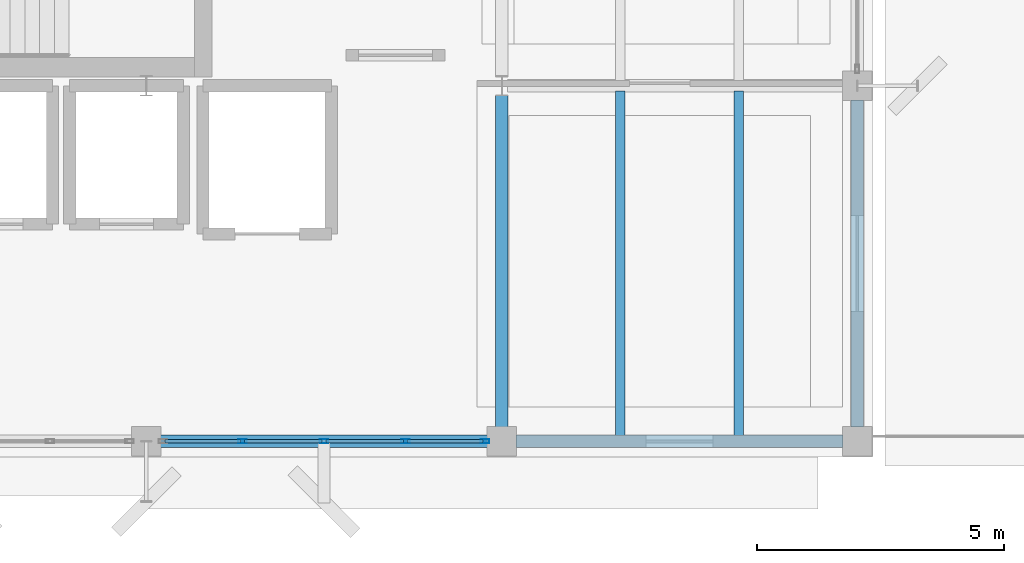
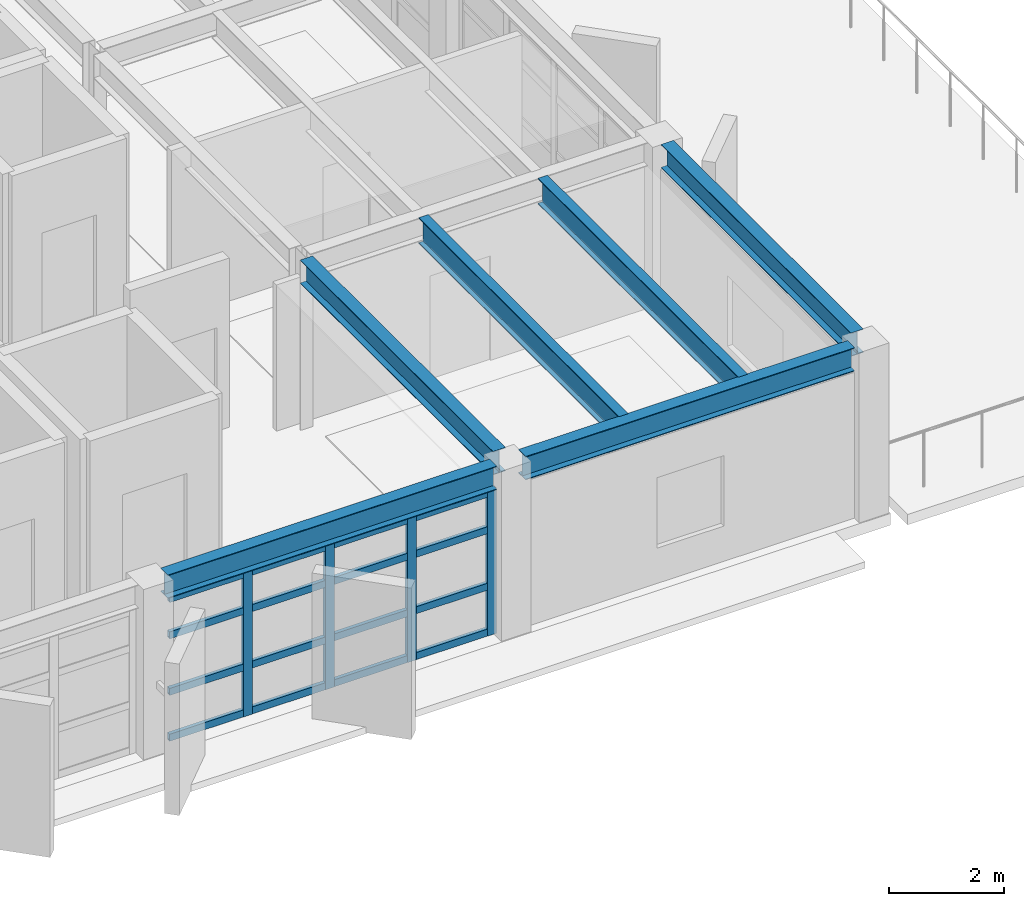
# One storey, part 5 of 19: 20 members, 6 beams, 1 element without a shape of its own.
"""IFC4 building model written with IfcOpenShell, lengths in metres."""

from ifc_helpers import new_model, si_unit, direction, frame, origin, origin_2d, place, context, subcontext, project, spatial, hollow_rectangle, i_section, extrude, material, layer, layer_set, material_profile, profile_set, type_object, element, aggregate, save


model = new_model("IFC4")

# Units and contexts
model_context = context("Model", 3, precision=1e-05, world=origin(), true_north=direction((0.0, 1.0)))
body_context = subcontext(model_context, "Body", "Model", "MODEL_VIEW")
ifc_project = project(units=[si_unit("LENGTHUNIT", "METRE"), si_unit("AREAUNIT", "SQUARE_METRE"), si_unit("VOLUMEUNIT", "CUBIC_METRE"), si_unit("PLANEANGLEUNIT", "RADIAN"), si_unit("MASSUNIT", "GRAM", prefix="KILO")], contexts=[model_context])

# Site, building, storey
site_placement = place(None, origin())
site = spatial("IfcSite", under=ifc_project, at=site_placement, CompositionType="ELEMENT")
building_placement = place(site_placement, origin())
building = spatial("IfcBuilding", under=site, at=building_placement, Name="Kandorven Conservatory and Botanical Research Centre", CompositionType="ELEMENT")
storey_placement = place(building_placement, frame((0.0, 0.0, 28.800048828125)))
storey = spatial("IfcBuildingStorey", under=building, at=storey_placement, Name="L07", CompositionType="ELEMENT", Elevation=28.800048828125)

# Beams
ifc_material_1 = material(Name="Steel S355 (IS 2062 E350)", Category="steel")
ifc_material_profile_1 = material_profile(ifc_material_1, i_section(OverallWidth=0.25, OverallDepth=0.5, WebThickness=0.010009765625, FlangeThickness=0.0146484375, at=origin_2d()))
ifc_profile_set_1 = profile_set([ifc_material_profile_1], Name="Steel S355 (IS 2062 E350)")
beam_type_1 = type_object("IfcBeamType", Name="Beam_FG-02", PredefinedType="USERDEFINED", material=ifc_profile_set_1)
for number, where, z_axis, x_axis, name in (
    (1, (20.68994140625, 6.0, 3.369873046875), (1.0, 0.0, 0.0), (0.0, 1.0, 0.0), "Primary girder FG-02 TWR L07"),
    (2, (27.889892578125, 6.0, 3.369873046875), (1.0, 0.0, 0.0), (0.0, 1.0, 0.0), "Primary girder FG-02 TWR L07"),
):
    element("IfcBeam", number, at=place(storey_placement, frame(where, z_axis=z_axis, x_axis=x_axis)), inside=storey, type_object=beam_type_1, Name=name, ObjectType="GIRDER", PredefinedType="USERDEFINED", context=body_context, shape_type="SweptSolid", body=[
        extrude(i_section(OverallWidth=0.25, OverallDepth=0.5, WebThickness=0.010009765625, FlangeThickness=0.0146484375, at=origin_2d()), origin(), (0.0, 0.0, 1.0), 6.6201171875),
    ])
beam_1_placement = place(storey_placement, frame((27.60009765625, 6.2900390625, 3.369873046875), z_axis=(0.0, 1.0, 0.0), x_axis=(-1.0, 0.0, 0.0)))
element("IfcBeam", 3, at=beam_1_placement, inside=storey, type_object=beam_type_1, Name="Primary girder FG-02 TWR L07", ObjectType="GIRDER", PredefinedType="USERDEFINED", context=body_context, shape_type="SweptSolid", body=[
    extrude(i_section(OverallWidth=0.25, OverallDepth=0.5, WebThickness=0.010009765625, FlangeThickness=0.0146484375, at=origin_2d()), origin(), (0.0, 0.0, 1.0), 6.719970703125),
])
beam_2_placement = place(storey_placement, frame((34.800048828125, 6.2900390625, 3.369873046875), z_axis=(0.0, 1.0, 0.0), x_axis=(-1.0, 0.0, 0.0)))
element("IfcBeam", 4, at=beam_2_placement, inside=storey, type_object=beam_type_1, Name="Primary girder FG-02 TWR L07", ObjectType="GIRDER", PredefinedType="USERDEFINED", context=body_context, shape_type="SweptSolid", body=[
    extrude(i_section(OverallWidth=0.25, OverallDepth=0.5, WebThickness=0.010009765625, FlangeThickness=0.0146484375, at=origin_2d()), origin(), (0.0, 0.0, 1.0), 6.619873046875),
])
ifc_material_2 = material(Name="Steel S355 (IS 2062 E350)", Category="steel")
ifc_material_profile_2 = material_profile(ifc_material_2, i_section(OverallWidth=0.18994140625, OverallDepth=0.550048828125, WebThickness=0.01123046875, FlangeThickness=0.019287109375, at=origin_2d()))
ifc_profile_set_2 = profile_set([ifc_material_profile_2], Name="Steel S355 (IS 2062 E350)")
beam_type_2 = type_object("IfcBeamType", Name="Beam_SB-02", PredefinedType="BEAM", material=ifc_profile_set_2)
for number, where, z_axis, x_axis, name in (
    (5, (30.0, 6.110107421875, 3.344970703125), (0.0, 1.0, 0.0), (-1.0, 0.0, 0.0), "Composite secondary beam SB-02 TWR L07"),
    (6, (32.39990234375, 6.110107421875, 3.344970703125), (0.0, 1.0, 0.0), (-1.0, 0.0, 0.0), "Composite secondary beam SB-02 TWR L07"),
):
    element("IfcBeam", number, at=place(storey_placement, frame(where, z_axis=z_axis, x_axis=x_axis)), inside=storey, type_object=beam_type_2, Name=name, PredefinedType="BEAM", context=body_context, shape_type="SweptSolid", body=[
        extrude(i_section(OverallWidth=0.18994140625, OverallDepth=0.550048828125, WebThickness=0.01123046875, FlangeThickness=0.019287109375, at=origin_2d()), origin(), (0.0, 0.0, 1.0), 6.97998046875),
    ])

# Curtain wall, members
ifc_material_3 = material(Name="Bronze anodised thermally broken aluminium", Category="aluminium")
ifc_layer = layer(ifc_material_3, 0.179931640625)
ifc_layer_set = layer_set([ifc_layer], Name="Bronze anodised thermally broken aluminium")
curtain_wall_type = type_object("IfcCurtainWallType", Name="CW_Unitised", PredefinedType="USERDEFINED", material=ifc_layer_set)
curtain_wall_placement = place(storey_placement, origin())
curtain_wall = element("IfcCurtainWall", 7, at=curtain_wall_placement, inside=storey, type_object=curtain_wall_type, Name="Tower laboratory curtain wall CW-TWR-S-L07-3", ObjectType="UNITISED GLAZING", PredefinedType="USERDEFINED")
ifc_material_4 = material(Name="Bronze anodised thermally broken aluminium", Category="aluminium")
ifc_material_profile_3 = material_profile(ifc_material_4, hollow_rectangle(XDim=0.080078125, YDim=0.179931640625, WallThickness=0.006103515625, at=origin_2d()))
ifc_profile_set_3 = profile_set([ifc_material_profile_3], Name="Bronze anodised thermally broken aluminium")
member_type_1 = type_object("IfcMemberType", Name="CW_Mullion", PredefinedType="MULLION", material=ifc_profile_set_3)
member_1_placement = place(storey_placement, frame((22.35009765625, 6.0, 0.0), z_axis=(0.0, 0.0, 1.0), x_axis=(0.0, 1.0, 0.0)))
member_1 = element("IfcMember", 8, at=member_1_placement, type_object=member_type_1, Name="CW-01 mullion 2", PredefinedType="MULLION", context=body_context, shape_type="SweptSolid", body=[
    extrude(hollow_rectangle(XDim=0.080078125, YDim=0.179931640625, WallThickness=0.006103515625, at=origin_2d()), origin(), (0.0, 0.0, 1.0), 3.099853515625),
])
member_2_placement = place(storey_placement, frame((24.0, 6.0, 0.0), z_axis=(0.0, 0.0, 1.0), x_axis=(0.0, 1.0, 0.0)))
member_2 = element("IfcMember", 9, at=member_2_placement, type_object=member_type_1, Name="CW-01 mullion 3", PredefinedType="MULLION", context=body_context, shape_type="SweptSolid", body=[
    extrude(hollow_rectangle(XDim=0.080078125, YDim=0.179931640625, WallThickness=0.006103515625, at=origin_2d()), origin(), (0.0, 0.0, 1.0), 3.099853515625),
])
member_3_placement = place(storey_placement, frame((25.64990234375, 6.0, 0.0), z_axis=(0.0, 0.0, 1.0), x_axis=(0.0, 1.0, 0.0)))
member_3 = element("IfcMember", 10, at=member_3_placement, type_object=member_type_1, Name="CW-01 mullion 4", PredefinedType="MULLION", context=body_context, shape_type="SweptSolid", body=[
    extrude(hollow_rectangle(XDim=0.080078125, YDim=0.179931640625, WallThickness=0.006103515625, at=origin_2d()), origin(), (0.0, 0.0, 1.0), 3.099853515625),
])
member_4_placement = place(storey_placement, frame((27.260009765625, 6.0, 0.0), z_axis=(0.0, 0.0, 1.0), x_axis=(0.0, 1.0, 0.0)))
member_4 = element("IfcMember", 11, at=member_4_placement, type_object=member_type_1, Name="CW-01 mullion 5", PredefinedType="MULLION", context=body_context, shape_type="SweptSolid", body=[
    extrude(hollow_rectangle(XDim=0.080078125, YDim=0.179931640625, WallThickness=0.006103515625, at=origin_2d()), origin(), (0.0, 0.0, 1.0), 3.099853515625),
])
ifc_material_5 = material(Name="Bronze anodised thermally broken aluminium", Category="aluminium")
ifc_material_profile_4 = material_profile(ifc_material_5, hollow_rectangle(XDim=0.074951171875, YDim=0.14990234375, WallThickness=0.006103515625, at=origin_2d()))
ifc_profile_set_4 = profile_set([ifc_material_profile_4], Name="Bronze anodised thermally broken aluminium")
member_type_2 = type_object("IfcMemberType", Name="CW_Transom", PredefinedType="USERDEFINED", material=ifc_profile_set_4)
member_5_placement = place(storey_placement, frame((20.780029296875, 6.0, 0.074951171875), z_axis=(1.0, 0.0, 0.0), x_axis=(0.0, 1.0, 0.0)))
member_5 = element("IfcMember", 12, at=member_5_placement, type_object=member_type_2, Name="CW-01 transom 1.1", ObjectType="TRANSOM", PredefinedType="USERDEFINED", context=body_context, shape_type="SweptSolid", body=[
    extrude(hollow_rectangle(XDim=0.074951171875, YDim=0.14990234375, WallThickness=0.006103515625, at=origin_2d()), origin(), (0.0, 0.0, 1.0), 1.530029296875),
])
member_6_placement = place(storey_placement, frame((20.780029296875, 6.0, 1.050048828125), z_axis=(1.0, 0.0, 0.0), x_axis=(0.0, 1.0, 0.0)))
member_6 = element("IfcMember", 13, at=member_6_placement, type_object=member_type_2, Name="CW-01 transom 1.2", ObjectType="TRANSOM", PredefinedType="USERDEFINED", context=body_context, shape_type="SweptSolid", body=[
    extrude(hollow_rectangle(XDim=0.074951171875, YDim=0.14990234375, WallThickness=0.006103515625, at=origin_2d()), origin(), (0.0, 0.0, 1.0), 1.530029296875),
])
member_7_placement = place(storey_placement, frame((20.780029296875, 6.0, 2.25), z_axis=(1.0, 0.0, 0.0), x_axis=(0.0, 1.0, 0.0)))
member_7 = element("IfcMember", 14, at=member_7_placement, type_object=member_type_2, Name="CW-01 transom 1.3", ObjectType="TRANSOM", PredefinedType="USERDEFINED", context=body_context, shape_type="SweptSolid", body=[
    extrude(hollow_rectangle(XDim=0.074951171875, YDim=0.14990234375, WallThickness=0.006103515625, at=origin_2d()), origin(), (0.0, 0.0, 1.0), 1.530029296875),
])
member_8_placement = place(storey_placement, frame((20.780029296875, 6.0, 3.02490234375), z_axis=(1.0, 0.0, 0.0), x_axis=(0.0, 1.0, 0.0)))
member_8 = element("IfcMember", 15, at=member_8_placement, type_object=member_type_2, Name="CW-01 transom 1.4", ObjectType="TRANSOM", PredefinedType="USERDEFINED", context=body_context, shape_type="SweptSolid", body=[
    extrude(hollow_rectangle(XDim=0.074951171875, YDim=0.14990234375, WallThickness=0.006103515625, at=origin_2d()), origin(), (0.0, 0.0, 1.0), 1.530029296875),
])
member_9_placement = place(storey_placement, frame((22.389892578125, 6.0, 0.074951171875), z_axis=(1.0, 0.0, 0.0), x_axis=(0.0, 1.0, 0.0)))
member_9 = element("IfcMember", 16, at=member_9_placement, type_object=member_type_2, Name="CW-01 transom 2.1", ObjectType="TRANSOM", PredefinedType="USERDEFINED", context=body_context, shape_type="SweptSolid", body=[
    extrude(hollow_rectangle(XDim=0.074951171875, YDim=0.14990234375, WallThickness=0.006103515625, at=origin_2d()), origin(), (0.0, 0.0, 1.0), 1.570068359375),
])
member_10_placement = place(storey_placement, frame((22.389892578125, 6.0, 1.050048828125), z_axis=(1.0, 0.0, 0.0), x_axis=(0.0, 1.0, 0.0)))
member_10 = element("IfcMember", 17, at=member_10_placement, type_object=member_type_2, Name="CW-01 transom 2.2", ObjectType="TRANSOM", PredefinedType="USERDEFINED", context=body_context, shape_type="SweptSolid", body=[
    extrude(hollow_rectangle(XDim=0.074951171875, YDim=0.14990234375, WallThickness=0.006103515625, at=origin_2d()), origin(), (0.0, 0.0, 1.0), 1.570068359375),
])
member_11_placement = place(storey_placement, frame((22.389892578125, 6.0, 2.25), z_axis=(1.0, 0.0, 0.0), x_axis=(0.0, 1.0, 0.0)))
member_11 = element("IfcMember", 18, at=member_11_placement, type_object=member_type_2, Name="CW-01 transom 2.3", ObjectType="TRANSOM", PredefinedType="USERDEFINED", context=body_context, shape_type="SweptSolid", body=[
    extrude(hollow_rectangle(XDim=0.074951171875, YDim=0.14990234375, WallThickness=0.006103515625, at=origin_2d()), origin(), (0.0, 0.0, 1.0), 1.570068359375),
])
member_12_placement = place(storey_placement, frame((22.389892578125, 6.0, 3.02490234375), z_axis=(1.0, 0.0, 0.0), x_axis=(0.0, 1.0, 0.0)))
member_12 = element("IfcMember", 19, at=member_12_placement, type_object=member_type_2, Name="CW-01 transom 2.4", ObjectType="TRANSOM", PredefinedType="USERDEFINED", context=body_context, shape_type="SweptSolid", body=[
    extrude(hollow_rectangle(XDim=0.074951171875, YDim=0.14990234375, WallThickness=0.006103515625, at=origin_2d()), origin(), (0.0, 0.0, 1.0), 1.570068359375),
])
member_13_placement = place(storey_placement, frame((24.0400390625, 6.0, 0.074951171875), z_axis=(1.0, 0.0, 0.0), x_axis=(0.0, 1.0, 0.0)))
member_13 = element("IfcMember", 20, at=member_13_placement, type_object=member_type_2, Name="CW-01 transom 3.1", ObjectType="TRANSOM", PredefinedType="USERDEFINED", context=body_context, shape_type="SweptSolid", body=[
    extrude(hollow_rectangle(XDim=0.074951171875, YDim=0.14990234375, WallThickness=0.006103515625, at=origin_2d()), origin(), (0.0, 0.0, 1.0), 1.570068359375),
])
member_14_placement = place(storey_placement, frame((24.0400390625, 6.0, 1.050048828125), z_axis=(1.0, 0.0, 0.0), x_axis=(0.0, 1.0, 0.0)))
member_14 = element("IfcMember", 21, at=member_14_placement, type_object=member_type_2, Name="CW-01 transom 3.2", ObjectType="TRANSOM", PredefinedType="USERDEFINED", context=body_context, shape_type="SweptSolid", body=[
    extrude(hollow_rectangle(XDim=0.074951171875, YDim=0.14990234375, WallThickness=0.006103515625, at=origin_2d()), origin(), (0.0, 0.0, 1.0), 1.570068359375),
])
member_15_placement = place(storey_placement, frame((24.0400390625, 6.0, 2.25), z_axis=(1.0, 0.0, 0.0), x_axis=(0.0, 1.0, 0.0)))
member_15 = element("IfcMember", 22, at=member_15_placement, type_object=member_type_2, Name="CW-01 transom 3.3", ObjectType="TRANSOM", PredefinedType="USERDEFINED", context=body_context, shape_type="SweptSolid", body=[
    extrude(hollow_rectangle(XDim=0.074951171875, YDim=0.14990234375, WallThickness=0.006103515625, at=origin_2d()), origin(), (0.0, 0.0, 1.0), 1.570068359375),
])
member_16_placement = place(storey_placement, frame((24.0400390625, 6.0, 3.02490234375), z_axis=(1.0, 0.0, 0.0), x_axis=(0.0, 1.0, 0.0)))
member_16 = element("IfcMember", 23, at=member_16_placement, type_object=member_type_2, Name="CW-01 transom 3.4", ObjectType="TRANSOM", PredefinedType="USERDEFINED", context=body_context, shape_type="SweptSolid", body=[
    extrude(hollow_rectangle(XDim=0.074951171875, YDim=0.14990234375, WallThickness=0.006103515625, at=origin_2d()), origin(), (0.0, 0.0, 1.0), 1.570068359375),
])
member_17_placement = place(storey_placement, frame((25.68994140625, 6.0, 0.074951171875), z_axis=(1.0, 0.0, 0.0), x_axis=(0.0, 1.0, 0.0)))
member_17 = element("IfcMember", 24, at=member_17_placement, type_object=member_type_2, Name="CW-01 transom 4.1", ObjectType="TRANSOM", PredefinedType="USERDEFINED", context=body_context, shape_type="SweptSolid", body=[
    extrude(hollow_rectangle(XDim=0.074951171875, YDim=0.14990234375, WallThickness=0.006103515625, at=origin_2d()), origin(), (0.0, 0.0, 1.0), 1.530029296875),
])
member_18_placement = place(storey_placement, frame((25.68994140625, 6.0, 1.050048828125), z_axis=(1.0, 0.0, 0.0), x_axis=(0.0, 1.0, 0.0)))
member_18 = element("IfcMember", 25, at=member_18_placement, type_object=member_type_2, Name="CW-01 transom 4.2", ObjectType="TRANSOM", PredefinedType="USERDEFINED", context=body_context, shape_type="SweptSolid", body=[
    extrude(hollow_rectangle(XDim=0.074951171875, YDim=0.14990234375, WallThickness=0.006103515625, at=origin_2d()), origin(), (0.0, 0.0, 1.0), 1.530029296875),
])
member_19_placement = place(storey_placement, frame((25.68994140625, 6.0, 2.25), z_axis=(1.0, 0.0, 0.0), x_axis=(0.0, 1.0, 0.0)))
member_19 = element("IfcMember", 26, at=member_19_placement, type_object=member_type_2, Name="CW-01 transom 4.3", ObjectType="TRANSOM", PredefinedType="USERDEFINED", context=body_context, shape_type="SweptSolid", body=[
    extrude(hollow_rectangle(XDim=0.074951171875, YDim=0.14990234375, WallThickness=0.006103515625, at=origin_2d()), origin(), (0.0, 0.0, 1.0), 1.530029296875),
])
member_20_placement = place(storey_placement, frame((25.68994140625, 6.0, 3.02490234375), z_axis=(1.0, 0.0, 0.0), x_axis=(0.0, 1.0, 0.0)))
member_20 = element("IfcMember", 27, at=member_20_placement, type_object=member_type_2, Name="CW-01 transom 4.4", ObjectType="TRANSOM", PredefinedType="USERDEFINED", context=body_context, shape_type="SweptSolid", body=[
    extrude(hollow_rectangle(XDim=0.074951171875, YDim=0.14990234375, WallThickness=0.006103515625, at=origin_2d()), origin(), (0.0, 0.0, 1.0), 1.530029296875),
])
aggregate(curtain_wall, [member_1, member_2, member_3, member_4, member_5, member_6, member_7, member_8, member_9, member_10, member_11, member_12, member_13, member_14, member_15, member_16, member_17, member_18, member_19, member_20])

save(model, "model.ifc")
